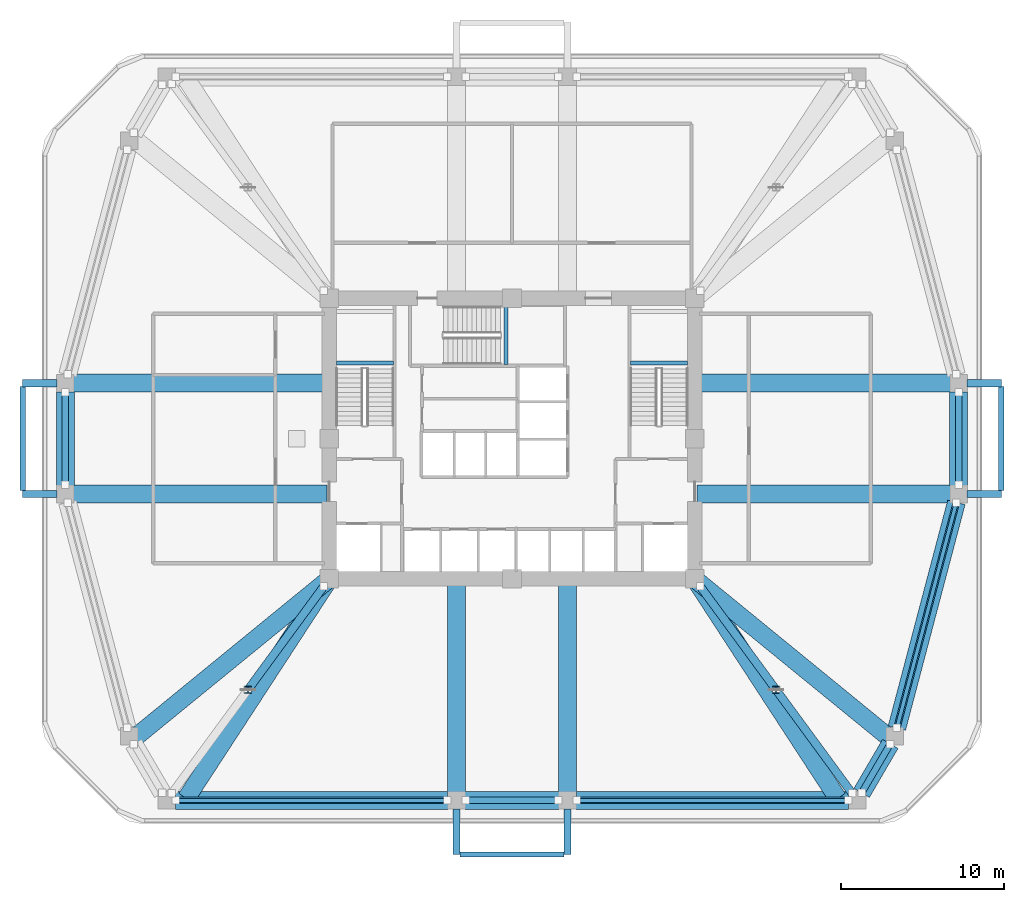
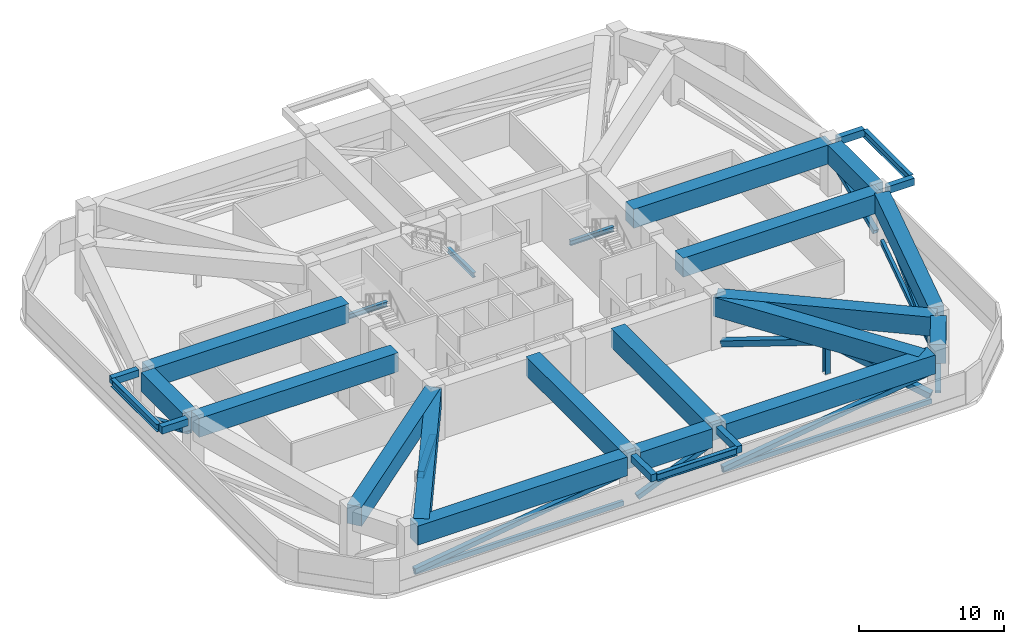
# One storey, part 2 of 10: 29 beams, 15 members.
"""IFC4 building model written with IfcOpenShell, lengths in metres."""

import ifcopenshell
import ifcopenshell.guid

model = None  # the IFC model being written
_history = None  # IfcOwnerHistory: only IFC2X3 demands one
_inside = {}  # id of a spatial element -> (the spatial element, [elements in it])
_under = {}  # id of a project, library or spatial element -> (it, [spatial elements below it])
_declared = {}  # id of a project -> (the project, [libraries it declares])
_typed = {}  # id of a type object -> (the type object, [elements of that type])
_made_of = {}  # id of a material, layer set ... -> (it, [elements and type objects made of it])


def new_model(schema):
    """Start an empty IFC model of exactly this schema.

    Asked for "IFC4X3", IfcOpenShell would pick the latest addendum, in which some entities
    have other attributes; the version numbers below select the first issue.
    IFC2X3 requires an IfcOwnerHistory on every rooted entity: one is made here for all.
    """
    global model, _history
    if schema == "IFC4X3":
        model = ifcopenshell.file(schema_version=(4, 3, 0, 0))
    else:
        model = ifcopenshell.file(schema=schema)
    _inside.clear()
    _under.clear()
    _declared.clear()
    _typed.clear()
    _made_of.clear()
    _history = None
    if model.schema == "IFC2X3":
        org = make("IfcOrganization", Name="unknown")
        user = make(
            "IfcPersonAndOrganization",
            ThePerson=make("IfcPerson", FamilyName="unknown"),
            TheOrganization=org,
        )
        app = make(
            "IfcApplication",
            ApplicationDeveloper=org,
            Version="unknown",
            ApplicationFullName="unknown",
            ApplicationIdentifier="unknown",
        )
        _history = make(
            "IfcOwnerHistory",
            OwningUser=user,
            OwningApplication=app,
            ChangeAction="ADDED",
            CreationDate=0,
        )
    return model


def make(cls, **values):
    """One entity of the class cls with the attributes given. An attribute that is None is left unset."""
    return model.create_entity(
        cls, **{name: value for name, value in values.items() if value is not None}
    )


def rooted(cls, **values):
    """An entity with a GlobalId (a new one), such as an element, a storey or a relation."""
    return make(cls, GlobalId=ifcopenshell.guid.new(), OwnerHistory=_history, **values)


def si_unit(unit_type, name, prefix=None):
    """IfcSIUnit, for example si_unit("LENGTHUNIT", "METRE", prefix="MILLI")."""
    return make("IfcSIUnit", UnitType=unit_type, Prefix=prefix, Name=name)


def derived_unit(unit_type, elements):
    """IfcDerivedUnit: a product of units, each with its exponent."""
    return make(
        "IfcDerivedUnit",
        Elements=[
            make("IfcDerivedUnitElement", Unit=unit, Exponent=power)
            for unit, power in elements
        ],
        UnitType=unit_type,
    )


def assignment(units):
    """IfcUnitAssignment: the units of a project."""
    return None if units is None else make("IfcUnitAssignment", Units=units)


def point(xyz):
    """IfcCartesianPoint."""
    return None if xyz is None else make("IfcCartesianPoint", Coordinates=xyz)


def direction(xyz):
    """IfcDirection."""
    return None if xyz is None else make("IfcDirection", DirectionRatios=xyz)


def frame(location, z_axis=None, x_axis=None):
    """IfcAxis2Placement3D, a coordinate frame: its origin and axes. An axis left out is left unset."""
    return make(
        "IfcAxis2Placement3D",
        Location=point(location),
        Axis=direction(z_axis),
        RefDirection=direction(x_axis),
    )


def frame_2d(location, x_axis=None):
    """IfcAxis2Placement2D, a coordinate frame in the plane: its origin and x axis."""
    return make(
        "IfcAxis2Placement2D", Location=point(location), RefDirection=direction(x_axis)
    )


def origin():
    """The frame at (0, 0, 0) with its axes left unset."""
    return frame((0.0, 0.0, 0.0))


def origin_2d():
    """The frame at (0, 0) in the plane with its x axis left unset."""
    return frame_2d((0.0, 0.0))


def place(relative_to, where):
    """IfcLocalPlacement: puts the frame where relative to a parent placement (None: the world)."""
    return make(
        "IfcLocalPlacement", PlacementRelTo=relative_to, RelativePlacement=where
    )


def context(
    kind, dimensions, precision=None, world=None, true_north=None, identifier=None
):
    """IfcGeometricRepresentationContext, for example the 3D "Model" context."""
    return make(
        "IfcGeometricRepresentationContext",
        ContextIdentifier=identifier,
        ContextType=kind,
        CoordinateSpaceDimension=dimensions,
        Precision=precision,
        WorldCoordinateSystem=world,
        TrueNorth=true_north,
    )


def subcontext(parent, identifier, kind, view, scale=None):
    """IfcGeometricRepresentationSubContext, for example "Body" below "Model"."""
    return make(
        "IfcGeometricRepresentationSubContext",
        ContextIdentifier=identifier,
        ContextType=kind,
        ParentContext=parent,
        TargetScale=scale,
        TargetView=view,
    )


def project(units=None, contexts=None):
    """IfcProject with its units and contexts."""
    return rooted(
        "IfcProject",
        Name="project",
        RepresentationContexts=contexts,
        UnitsInContext=assignment(units),
    )


def spatial(cls, under=None, at=None, **own):
    """A site, building, storey or space (cls), placed at a placement, below another one or the project."""
    s = rooted(cls, ObjectPlacement=at, **own)
    if under is not None:
        _under.setdefault(under.id(), (under, []))[1].append(s)
    return s


def profile(cls, at=None, kind="AREA", **sizes):
    """A parametric profile (cls). Its sizes go by their IFC names, for example OverallWidth=200.0."""
    return make(cls, ProfileType=kind, Position=at, **sizes)


def rectangle(**sizes):
    """IfcRectangleProfileDef."""
    return profile("IfcRectangleProfileDef", **sizes)


def hollow_rectangle(**sizes):
    """IfcRectangleHollowProfileDef."""
    return profile("IfcRectangleHollowProfileDef", **sizes)


def i_section(**sizes):
    """IfcIShapeProfileDef."""
    return profile("IfcIShapeProfileDef", **sizes)


def extrude(swept, where, along, depth):
    """IfcExtrudedAreaSolid: the profile swept, set in the frame where, extruded along a direction by depth."""
    return make(
        "IfcExtrudedAreaSolid",
        SweptArea=swept,
        Position=where,
        ExtrudedDirection=direction(along),
        Depth=depth,
    )


def shape(context_of_items, identifier, shape_type, items):
    """IfcShapeRepresentation: the items that make up one representation, for example the "Body"."""
    return make(
        "IfcShapeRepresentation",
        ContextOfItems=context_of_items,
        RepresentationIdentifier=identifier,
        RepresentationType=shape_type,
        Items=items,
    )


def material(Name=None, Category=None):
    """IfcMaterial."""
    return make("IfcMaterial", Name=Name, Category=Category)


def material_profile(
    of_material, cross_section, Name=None, Category=None, Priority=None
):
    """IfcMaterialProfile: a cross section and its material."""
    return make(
        "IfcMaterialProfile",
        Name=Name,
        Material=of_material,
        Profile=cross_section,
        Priority=Priority,
        Category=Category,
    )


def profile_set(profiles, Name=None, composite=None):
    """IfcMaterialProfileSet."""
    return make(
        "IfcMaterialProfileSet",
        Name=Name,
        MaterialProfiles=profiles,
        CompositeProfile=composite,
    )


def made_of(thing, what):
    """Note that an element or type object is made of a material, layer set ...; save() writes the relation."""
    if what is not None:
        _made_of.setdefault(what.id(), (what, []))[1].append(thing)
    return thing


def type_object(cls, material=None, **own):
    """A type object (cls), such as IfcWallType, which elements share."""
    return made_of(rooted(cls, **own), material)


def element(
    cls,
    number,
    at=None,
    inside=None,
    cuts=None,
    type_object=None,
    material=None,
    context=None,
    identifier="Body",
    shape_type=None,
    held_by="IfcProductDefinitionShape",
    body=None,
    shapes=None,
    **own,
):
    """One element of the class cls, such as IfcWall. Its Tag is "e" and its number.

    at: its placement. inside: the storey or other place that contains it. cuts: it is an
    opening in that element (IfcRelVoidsElement). A single representation is given by context,
    identifier, shape_type and body (its items); several are given by shapes. held_by: the class
    of the entity that holds the representations. save() writes the other relations.
    """
    e = rooted(cls, Tag="e%d" % number, ObjectPlacement=at, **own)
    if body is not None:
        shapes = [shape(context, identifier, shape_type, body)]
    if shapes is not None:
        e.Representation = make(held_by, Representations=shapes)
    if inside is not None:
        _inside.setdefault(inside.id(), (inside, []))[1].append(e)
    if cuts is not None:
        rooted(
            "IfcRelVoidsElement", RelatingBuildingElement=cuts, RelatedOpeningElement=e
        )
    if type_object is not None:
        _typed.setdefault(type_object.id(), (type_object, []))[1].append(e)
    return made_of(e, material)


def aggregate(whole, parts):
    """IfcRelAggregates: a whole, such as a stair, and the parts it consists of."""
    return rooted("IfcRelAggregates", RelatingObject=whole, RelatedObjects=parts)


def save(model, path):
    """Write the relations noted so far, then the file.

    IfcRelAggregates (storeys below a building ...), IfcRelContainedInSpatialStructure (elements
    in a storey), IfcRelDefinesByType, IfcRelAssociatesMaterial and IfcRelDeclares: one each for
    every whole, place, type object, material and project.
    """
    for whole, parts in _under.values():
        aggregate(whole, parts)
    for where, things in _inside.values():
        rooted(
            "IfcRelContainedInSpatialStructure",
            RelatedElements=things,
            RelatingStructure=where,
        )
    for kind, things in _typed.values():
        rooted("IfcRelDefinesByType", RelatedObjects=things, RelatingType=kind)
    for what, things in _made_of.values():
        rooted("IfcRelAssociatesMaterial", RelatedObjects=things, RelatingMaterial=what)
    for by, libraries in _declared.values():
        rooted("IfcRelDeclares", RelatingContext=by, RelatedDefinitions=libraries)
    model.write(path)


model = new_model("IFC4")

# Units and contexts
model_context = context("Model", 3, precision=1e-05, world=origin(), true_north=direction((0.0, 1.0)))
body_context = subcontext(model_context, "Body", "Model", "MODEL_VIEW")
ifc_project = project(units=[si_unit("LENGTHUNIT", "METRE"), si_unit("AREAUNIT", "SQUARE_METRE"), si_unit("VOLUMEUNIT", "CUBIC_METRE"), si_unit("PLANEANGLEUNIT", "RADIAN"), si_unit("MASSUNIT", "GRAM", prefix="KILO"), derived_unit("THERMALTRANSMITTANCEUNIT", [(si_unit("POWERUNIT", "WATT"), 1), (si_unit("LENGTHUNIT", "METRE"), -2), (si_unit("THERMODYNAMICTEMPERATUREUNIT", "KELVIN"), -1)])], contexts=[model_context])

# Site, building, storey
site_placement = place(None, origin())
site = spatial("IfcSite", under=ifc_project, at=site_placement, CompositionType="ELEMENT")
building_placement = place(site_placement, origin())
building = spatial("IfcBuilding", under=site, at=building_placement, Name="Koralith Skygarden Medical Center", CompositionType="ELEMENT")
storey_placement = place(building_placement, frame((0.0, 0.0, 70.739990234375)))
storey = spatial("IfcBuildingStorey", under=building, at=storey_placement, Name="L18", CompositionType="ELEMENT", Elevation=70.739990234375)

# Members
ifc_material_1 = material(Name="Steel ASTM A500 Grade C", Category="steel")
ifc_material_profile_1 = material_profile(ifc_material_1, hollow_rectangle(XDim=0.25, YDim=0.39990234375, WallThickness=0.01611328125, at=origin_2d()), Name="HSS400X250X16")
ifc_profile_set_1 = profile_set([ifc_material_profile_1], Name="Steel ASTM A500 Grade C")
member_type_1 = type_object("IfcMemberType", Name="Belt Truss Chord Member HSS400X250X16", PredefinedType="CHORD", material=ifc_profile_set_1)
for number, where, z_axis, x_axis, name in (
    (1, (16.39208984375, 3.719970703125, 0.219970703125), (1.0, 0.0, 0.0), (0.0, 1.0, 0.0), "L18 Belt Truss Bottom Chord BTC-03"),
    (2, (40.9599609375, 3.719970703125, 0.219970703125), (1.0, 0.0, 0.0), (0.0, 1.0, 0.0), "L18 Belt Truss Bottom Chord BTC-05"),
):
    element("IfcMember", number, at=place(storey_placement, frame(where, z_axis=z_axis, x_axis=x_axis)), inside=storey, type_object=member_type_1, Name=name, PredefinedType="CHORD", context=body_context, shape_type="SweptSolid", body=[
        extrude(hollow_rectangle(XDim=0.25, YDim=0.39990234375, WallThickness=0.01611328125, at=origin_2d()), origin(), (0.0, 0.0, 1.0), 16.64794921875),
    ])
member_1_placement = place(storey_placement, frame((60.60302734375, 8.180908203125, 0.219970703125), z_axis=(0.255033011106, 0.966932346778, 0.0), x_axis=(-0.966932346778, 0.255033011106, 0.0)))
element("IfcMember", 3, at=member_1_placement, inside=storey, type_object=member_type_1, Name="L18 Belt Truss Bottom Chord BTC-07", PredefinedType="CHORD", context=body_context, shape_type="SweptSolid", body=[
    extrude(hollow_rectangle(XDim=0.25, YDim=0.39990234375, WallThickness=0.01611328125, at=origin_2d()), origin(), (0.0, 0.0, 1.0), 14.249267578125),
])
ifc_material_profile_2 = material_profile(ifc_material_1, hollow_rectangle(XDim=0.39990234375, YDim=0.39990234375, WallThickness=0.01806640625, at=origin_2d()), Name="HSS400X400X18")
ifc_profile_set_2 = profile_set([ifc_material_profile_2], Name="Steel ASTM A500 Grade C")
member_type_2 = type_object("IfcMemberType", Name="Belt Truss Diagonal HSS400X400X18", PredefinedType="BRACE", material=ifc_profile_set_2)
member_2_placement = place(storey_placement, frame((16.39208984375, 3.719970703125, 0.35009765625), z_axis=(0.989936133311, 0.0, 0.141514847155), x_axis=(0.0, 1.0, 0.0)))
element("IfcMember", 4, at=member_2_placement, inside=storey, type_object=member_type_2, Name="L18 Perimeter Belt Truss Diagonal BTD-03", PredefinedType="BRACE", context=body_context, shape_type="SweptSolid", body=[
    extrude(hollow_rectangle(XDim=0.39990234375, YDim=0.39990234375, WallThickness=0.01806640625, at=origin_2d()), origin(), (0.0, 0.0, 1.0), 16.817138671875),
])
member_3_placement = place(storey_placement, frame((34.159912109375, 3.719970703125, 0.35009765625), z_axis=(0.922317471745, 0.0, 0.386433023063), x_axis=(0.0, 1.0, 0.0)))
element("IfcMember", 5, at=member_3_placement, inside=storey, type_object=member_type_2, Name="L18 Perimeter Belt Truss Diagonal BTD-04", PredefinedType="BRACE", context=body_context, shape_type="SweptSolid", body=[
    extrude(hollow_rectangle(XDim=0.39990234375, YDim=0.39990234375, WallThickness=0.01806640625, at=origin_2d()), origin(), (0.0, 0.0, 1.0), 6.15869140625),
])
member_4_placement = place(storey_placement, frame((40.9599609375, 3.719970703125, 0.35009765625), z_axis=(0.989936133311, 0.0, 0.141514847155), x_axis=(0.0, 1.0, 0.0)))
element("IfcMember", 6, at=member_4_placement, inside=storey, type_object=member_type_2, Name="L18 Perimeter Belt Truss Diagonal BTD-05", PredefinedType="BRACE", context=body_context, shape_type="SweptSolid", body=[
    extrude(hollow_rectangle(XDim=0.39990234375, YDim=0.39990234375, WallThickness=0.01806640625, at=origin_2d()), origin(), (0.0, 0.0, 1.0), 16.817138671875),
])
member_5_placement = place(storey_placement, frame((58.450927734375, 4.202880859375, 0.35009765625), z_axis=(0.414153109192, 0.708805179805, 0.571027511797), x_axis=(-0.863416348097, 0.504492031492, 0.0)))
element("IfcMember", 7, at=member_5_placement, inside=storey, type_object=member_type_2, Name="L18 Perimeter Belt Truss Diagonal BTD-06", PredefinedType="BRACE", context=body_context, shape_type="SweptSolid", body=[
    extrude(hollow_rectangle(XDim=0.39990234375, YDim=0.39990234375, WallThickness=0.01806640625, at=origin_2d()), origin(), (0.0, 0.0, 1.0), 4.167724609375),
])
member_6_placement = place(storey_placement, frame((60.60302734375, 8.180908203125, 0.35009765625), z_axis=(0.251548669485, 0.953721811378, 0.164736071894), x_axis=(-0.966932346778, 0.255033011106, 0.0)))
element("IfcMember", 8, at=member_6_placement, inside=storey, type_object=member_type_2, Name="L18 Perimeter Belt Truss Diagonal BTD-07", PredefinedType="BRACE", context=body_context, shape_type="SweptSolid", body=[
    extrude(hollow_rectangle(XDim=0.39990234375, YDim=0.39990234375, WallThickness=0.01806640625, at=origin_2d()), origin(), (0.0, 0.0, 1.0), 14.446533203125),
])
for number, where, z_axis, x_axis, name in (
    (9, (64.3798828125, 23.06005859375, 0.35009765625), (0.0, 0.922311551619, 0.386447152597), (-1.0, 0.0, 0.0), "L18 Perimeter Belt Truss Diagonal BTD-08"),
    (10, (9.6201171875, 28.739990234375, 0.35009765625), (0.0, -0.922311551619, 0.386447152597), (1.0, 0.0, 0.0), "L18 Perimeter Belt Truss Diagonal BTD-16"),
):
    element("IfcMember", number, at=place(storey_placement, frame(where, z_axis=z_axis, x_axis=x_axis)), inside=storey, type_object=member_type_2, Name=name, PredefinedType="BRACE", context=body_context, shape_type="SweptSolid", body=[
        extrude(hollow_rectangle(XDim=0.39990234375, YDim=0.39990234375, WallThickness=0.01806640625, at=origin_2d()), origin(), (0.0, 0.0, 1.0), 6.158447265625),
    ])

# Beams
ifc_material_2 = material(Name="Steel ASTM A992 Grade 50", Category="steel")
ifc_material_profile_3 = material_profile(ifc_material_2, i_section(OverallWidth=0.326904296875, OverallDepth=0.6220703125, WebThickness=0.015380859375, FlangeThickness=0.0244140625, at=origin_2d()), Name="W24X131")
ifc_profile_set_3 = profile_set([ifc_material_profile_3], Name="Steel ASTM A992 Grade 50")
beam_type_1 = type_object("IfcBeamType", Name="Cantilever Tie Beam W24X131", PredefinedType="BEAM", material=ifc_profile_set_3)
beam_1_placement = place(storey_placement, frame((33.820068359375, 0.39990234375, 4.109130859375), z_axis=(1.0, 0.0, 0.0), x_axis=(0.0, 1.0, 0.0)))
element("IfcBeam", 11, at=beam_1_placement, inside=storey, type_object=beam_type_1, Name="L19 S Balcony Tip Tie Beam", PredefinedType="BEAM", context=body_context, shape_type="SweptSolid", body=[
    extrude(i_section(OverallWidth=0.326904296875, OverallDepth=0.6220703125, WebThickness=0.015380859375, FlangeThickness=0.0244140625, at=origin_2d()), origin(), (0.0, 0.0, 1.0), 6.35986328125),
])
for number, where, z_axis, x_axis, name in (
    (12, (67.0, 22.719970703125, 4.109130859375), (0.0, 1.0, 0.0), (-1.0, 0.0, 0.0), "L19 E Balcony Tip Tie Beam"),
    (13, (7.0, 22.719970703125, 4.109130859375), (0.0, 1.0, 0.0), (-1.0, 0.0, 0.0), "L19 W Balcony Tip Tie Beam"),
):
    element("IfcBeam", number, at=place(storey_placement, frame(where, z_axis=z_axis, x_axis=x_axis)), inside=storey, type_object=beam_type_1, Name=name, PredefinedType="BEAM", context=body_context, shape_type="SweptSolid", body=[
        extrude(i_section(OverallWidth=0.326904296875, OverallDepth=0.6220703125, WebThickness=0.015380859375, FlangeThickness=0.0244140625, at=origin_2d()), origin(), (0.0, 0.0, 1.0), 6.360107421875),
    ])
ifc_material_profile_4 = material_profile(ifc_material_2, i_section(OverallWidth=0.260009765625, OverallDepth=0.4150390625, WebThickness=0.010009765625, FlangeThickness=0.016845703125, at=origin_2d()), Name="W16X67")
ifc_profile_set_4 = profile_set([ifc_material_profile_4], Name="Steel ASTM A992 Grade 50")
beam_type_2 = type_object("IfcBeamType", Name="Clinical Floor Joist W16X67", PredefinedType="JOIST", material=ifc_profile_set_4)
for number, where, z_axis, x_axis, name in (
    (14, (26.22998046875, 30.530029296875, 1.93212890625), (1.0, 0.0, 0.0), (0.0, 1.0, 0.0), "L18 Stair ST1 Half-Landing Support Beam 1A"),
    (15, (44.280029296875, 30.530029296875, 1.93212890625), (1.0, 0.0, 0.0), (0.0, 1.0, 0.0), "L18 Stair ST2 Half-Landing Support Beam 1A"),
):
    element("IfcBeam", number, at=place(storey_placement, frame(where, z_axis=z_axis, x_axis=x_axis)), inside=storey, type_object=beam_type_2, Name=name, PredefinedType="JOIST", context=body_context, shape_type="SweptSolid", body=[
        extrude(i_section(OverallWidth=0.260009765625, OverallDepth=0.4150390625, WebThickness=0.010009765625, FlangeThickness=0.016845703125, at=origin_2d()), origin(), (0.0, 0.0, 1.0), 3.489990234375),
    ])
beam_2_placement = place(storey_placement, frame((36.6298828125, 30.43994140625, 1.93212890625), z_axis=(0.0, 1.0, 0.0), x_axis=(-1.0, 0.0, 0.0)))
element("IfcBeam", 16, at=beam_2_placement, inside=storey, type_object=beam_type_2, Name="L18 Stair ST3 Half-Landing Support Beam 1A", PredefinedType="JOIST", context=body_context, shape_type="SweptSolid", body=[
    extrude(i_section(OverallWidth=0.260009765625, OverallDepth=0.4150390625, WebThickness=0.010009765625, FlangeThickness=0.016845703125, at=origin_2d()), origin(), (0.0, 0.0, 1.0), 3.630126953125),
])

# Members
ifc_material_profile_5 = material_profile(ifc_material_1, hollow_rectangle(XDim=0.5, YDim=0.5, WallThickness=0.02197265625, at=origin_2d()), Name="HSS500X500X22")
ifc_profile_set_5 = profile_set([ifc_material_profile_5], Name="Steel ASTM A500 Grade C")
member_type_3 = type_object("IfcMemberType", Name="Outrigger Primary Diagonal HSS500X500X22", PredefinedType="BRACE", material=ifc_profile_set_5)
for number, where, z_axis, x_axis, name in (
    (17, (25.462890625, 16.840087890625, 0.35009765625), (-0.566342828726, -0.771629479797, 0.289557846136), (0.806165179978, -0.591690546309, 0.0), "L18 Outrigger Truss Diagonal ORD-01A"),
    (18, (48.537109375, 16.840087890625, 0.35009765625), (0.566342828726, -0.771629479797, 0.289557846136), (0.806165179978, 0.591690546309, 0.0), "L18 Outrigger Truss Diagonal ORD-02A"),
):
    element("IfcMember", number, at=place(storey_placement, frame(where, z_axis=z_axis, x_axis=x_axis)), inside=storey, type_object=member_type_3, Name=name, PredefinedType="BRACE", context=body_context, shape_type="SweptSolid", body=[
        extrude(hollow_rectangle(XDim=0.5, YDim=0.5, WallThickness=0.02197265625, at=origin_2d()), origin(), (0.0, 0.0, 1.0), 8.218994140625),
    ])
member_7_placement = place(storey_placement, frame((53.19189453125, 10.498046875, 2.72998046875), z_axis=(0.566391778847, -0.771612647802, -0.289506950878), x_axis=(0.806134628546, 0.591732169701, 0.0)))
element("IfcMember", 19, at=member_7_placement, inside=storey, type_object=member_type_3, Name="L18 Outrigger Truss Diagonal ORD-02B", PredefinedType="BRACE", context=body_context, shape_type="SweptSolid", body=[
    extrude(hollow_rectangle(XDim=0.5, YDim=0.5, WallThickness=0.02197265625, at=origin_2d()), origin(), (0.0, 0.0, 1.0), 8.220458984375),
])
ifc_material_profile_6 = material_profile(ifc_material_2, i_section(OverallWidth=0.406005859375, OverallDepth=0.416015625, WebThickness=0.02490234375, FlangeThickness=0.0400390625, at=origin_2d()), Name="W14X257")
ifc_profile_set_6 = profile_set([ifc_material_profile_6], Name="Steel ASTM A992 Grade 50")
member_type_4 = type_object("IfcMemberType", Name="Outrigger Web Strut Post W14X257", PredefinedType="POST", material=ifc_profile_set_6)
for number, where, z_axis, x_axis, name in (
    (20, (20.80810546875, 10.498046875, 0.0), (0.0, 0.0, 1.0), (1.0, 0.0, 0.0), "L18 Outrigger Truss Web Post ORP-01"),
    (21, (53.19189453125, 10.498046875, 0.0), (0.0, 0.0, 1.0), (1.0, 0.0, 0.0), "L18 Outrigger Truss Web Post ORP-02"),
):
    element("IfcMember", number, at=place(storey_placement, frame(where, z_axis=z_axis, x_axis=x_axis)), inside=storey, type_object=member_type_4, Name=name, PredefinedType="POST", context=body_context, shape_type="SweptSolid", body=[
        extrude(i_section(OverallWidth=0.406005859375, OverallDepth=0.416015625, WebThickness=0.02490234375, FlangeThickness=0.0400390625, at=origin_2d()), origin(), (0.0, 0.0, 1.0), 2.72998046875),
    ])

# Beams
ifc_material_3 = material(Name="Concrete C45/55", Category="concrete")
ifc_material_profile_7 = material_profile(ifc_material_3, rectangle(XDim=0.449951171875, YDim=0.60009765625, at=origin_2d()), Name="RCB450X600")
ifc_profile_set_7 = profile_set([ifc_material_profile_7], Name="Concrete C45/55")
beam_type_3 = type_object("IfcBeamType", Name="Planted Balcony Cantilever Beam RCB450X600", PredefinedType="BEAM", material=ifc_profile_set_7)
for number, where, z_axis, x_axis, name in (
    (22, (33.60009765625, 3.199951171875, 4.1201171875), (0.0, -1.0, 0.0), (1.0, 0.0, 0.0), "L19 S Balcony Cantilever Beam A"),
    (23, (40.39990234375, 3.199951171875, 4.1201171875), (0.0, -1.0, 0.0), (1.0, 0.0, 0.0), "L19 S Balcony Cantilever Beam B"),
):
    element("IfcBeam", number, at=place(storey_placement, frame(where, z_axis=z_axis, x_axis=x_axis)), inside=storey, type_object=beam_type_3, Name=name, PredefinedType="BEAM", context=body_context, shape_type="SweptSolid", body=[
        extrude(rectangle(XDim=0.449951171875, YDim=0.60009765625, at=origin_2d()), origin(), (0.0, 0.0, 1.0), 2.800048828125),
    ])
for number, where, z_axis, x_axis, name in (
    (24, (64.89990234375, 22.5, 4.1201171875), (1.0, 0.0, 0.0), (0.0, 1.0, 0.0), "L19 E Balcony Cantilever Beam A"),
    (25, (64.89990234375, 29.300048828125, 4.1201171875), (1.0, 0.0, 0.0), (0.0, 1.0, 0.0), "L19 E Balcony Cantilever Beam B"),
    (26, (9.10009765625, 22.5, 4.1201171875), (-1.0, 0.0, 0.0), (0.0, -1.0, 0.0), "L19 W Balcony Cantilever Beam A"),
    (27, (9.10009765625, 29.300048828125, 4.1201171875), (-1.0, 0.0, 0.0), (0.0, -1.0, 0.0), "L19 W Balcony Cantilever Beam B"),
):
    element("IfcBeam", number, at=place(storey_placement, frame(where, z_axis=z_axis, x_axis=x_axis)), inside=storey, type_object=beam_type_3, Name=name, PredefinedType="BEAM", context=body_context, shape_type="SweptSolid", body=[
        extrude(rectangle(XDim=0.449951171875, YDim=0.60009765625, at=origin_2d()), origin(), (0.0, 0.0, 1.0), 2.10009765625),
    ])
ifc_material_4 = material(Name="Concrete C55/67", Category="concrete")
ifc_material_profile_8 = material_profile(ifc_material_4, rectangle(XDim=1.10009765625, YDim=1.60009765625, at=origin_2d()), Name="RCB1100X1600")
ifc_profile_set_8 = profile_set([ifc_material_profile_8], Name="Concrete C55/67")
beam_type_4 = type_object("IfcBeamType", Name="Upper Setback Transfer Girder RCB1100X1600", PredefinedType="USERDEFINED", material=ifc_profile_set_8)
beam_3_placement = place(storey_placement, frame((25.64990234375, 22.5, 3.580078125), z_axis=(-1.0, 0.0, 0.0), x_axis=(0.0, -1.0, 0.0)))
element("IfcBeam", 28, at=beam_3_placement, inside=storey, type_object=beam_type_4, Name="L18 Setback Transfer Girder STG-01", ObjectType="TRANSFER GIRDER", PredefinedType="USERDEFINED", context=body_context, shape_type="SweptSolid", body=[
    extrude(rectangle(XDim=1.10009765625, YDim=1.60009765625, at=origin_2d()), origin(), (0.0, 0.0, 1.0), 15.8798828125),
])
beam_4_placement = place(storey_placement, frame((25.68408203125, 17.205078125, 3.580078125), z_axis=(-0.774579140367, -0.632476999826, 0.0), x_axis=(0.632476999826, -0.774579140367, 0.0)))
element("IfcBeam", 29, at=beam_4_placement, inside=storey, type_object=beam_type_4, Name="L18 Setback Transfer Girder STG-02", ObjectType="TRANSFER GIRDER", PredefinedType="USERDEFINED", context=body_context, shape_type="SweptSolid", body=[
    extrude(rectangle(XDim=1.10009765625, YDim=1.60009765625, at=origin_2d()), origin(), (0.0, 0.0, 1.0), 15.34912109375),
])
beam_5_placement = place(storey_placement, frame((25.718017578125, 17.174072265625, 3.580078125), z_axis=(-0.545993429659, -0.837789457304, 0.0), x_axis=(0.837789457304, -0.545993429659, 0.0)))
element("IfcBeam", 30, at=beam_5_placement, inside=storey, type_object=beam_type_4, Name="L18 Setback Transfer Girder STG-03", ObjectType="TRANSFER GIRDER", PredefinedType="USERDEFINED", context=body_context, shape_type="SweptSolid", body=[
    extrude(rectangle(XDim=1.10009765625, YDim=1.60009765625, at=origin_2d()), origin(), (0.0, 0.0, 1.0), 15.90869140625),
])
for number, where, z_axis, x_axis, name in (
    (31, (33.60009765625, 17.14990234375, 3.580078125), (0.0, -1.0, 0.0), (1.0, 0.0, 0.0), "L18 Setback Transfer Girder STG-04"),
    (32, (40.39990234375, 17.14990234375, 3.580078125), (0.0, -1.0, 0.0), (1.0, 0.0, 0.0), "L18 Setback Transfer Girder STG-05"),
):
    element("IfcBeam", number, at=place(storey_placement, frame(where, z_axis=z_axis, x_axis=x_axis)), inside=storey, type_object=beam_type_4, Name=name, ObjectType="TRANSFER GIRDER", PredefinedType="USERDEFINED", context=body_context, shape_type="SweptSolid", body=[
        extrude(rectangle(XDim=1.10009765625, YDim=1.60009765625, at=origin_2d()), origin(), (0.0, 0.0, 1.0), 13.27978515625),
    ])
beam_6_placement = place(storey_placement, frame((48.281982421875, 17.174072265625, 3.580078125), z_axis=(0.545993429659, -0.837789457304, 0.0), x_axis=(0.837789457304, 0.545993429659, 0.0)))
element("IfcBeam", 33, at=beam_6_placement, inside=storey, type_object=beam_type_4, Name="L18 Setback Transfer Girder STG-06", ObjectType="TRANSFER GIRDER", PredefinedType="USERDEFINED", context=body_context, shape_type="SweptSolid", body=[
    extrude(rectangle(XDim=1.10009765625, YDim=1.60009765625, at=origin_2d()), origin(), (0.0, 0.0, 1.0), 15.90869140625),
])
beam_7_placement = place(storey_placement, frame((48.31591796875, 17.205078125, 3.580078125), z_axis=(0.774579140367, -0.632476999826, 0.0), x_axis=(0.632476999826, 0.774579140367, 0.0)))
element("IfcBeam", 34, at=beam_7_placement, inside=storey, type_object=beam_type_4, Name="L18 Setback Transfer Girder STG-07", ObjectType="TRANSFER GIRDER", PredefinedType="USERDEFINED", context=body_context, shape_type="SweptSolid", body=[
    extrude(rectangle(XDim=1.10009765625, YDim=1.60009765625, at=origin_2d()), origin(), (0.0, 0.0, 1.0), 15.34912109375),
])
for number, where, z_axis, x_axis, name in (
    (35, (48.35009765625, 22.5, 3.580078125), (1.0, 0.0, 0.0), (0.0, 1.0, 0.0), "L18 Setback Transfer Girder STG-08"),
    (36, (48.35009765625, 29.300048828125, 3.580078125), (1.0, 0.0, 0.0), (0.0, 1.0, 0.0), "L18 Setback Transfer Girder STG-09"),
    (37, (25.64990234375, 29.300048828125, 3.580078125), (-1.0, 0.0, 0.0), (0.0, -1.0, 0.0), "L18 Setback Transfer Girder STG-16"),
):
    element("IfcBeam", number, at=place(storey_placement, frame(where, z_axis=z_axis, x_axis=x_axis)), inside=storey, type_object=beam_type_4, Name=name, ObjectType="TRANSFER GIRDER", PredefinedType="USERDEFINED", context=body_context, shape_type="SweptSolid", body=[
        extrude(rectangle(XDim=1.10009765625, YDim=1.60009765625, at=origin_2d()), origin(), (0.0, 0.0, 1.0), 15.8798828125),
    ])
beam_8_placement = place(storey_placement, frame((16.362060546875, 3.719970703125, 3.580078125), z_axis=(1.0, 0.0, 0.0), x_axis=(0.0, 1.0, 0.0)))
element("IfcBeam", 38, at=beam_8_placement, inside=storey, type_object=beam_type_4, Name="L18 Perimeter Spandrel Beam SP-03", ObjectType="TRANSFER GIRDER", PredefinedType="USERDEFINED", context=body_context, shape_type="SweptSolid", body=[
    extrude(rectangle(XDim=1.10009765625, YDim=1.60009765625, at=origin_2d()), origin(), (0.0, 0.0, 1.0), 16.7080078125),
])
beam_9_placement = place(storey_placement, frame((34.1298828125, 3.719970703125, 3.580078125), z_axis=(1.0, 0.0, 0.0), x_axis=(0.0, 1.0, 0.0)))
element("IfcBeam", 39, at=beam_9_placement, inside=storey, type_object=beam_type_4, Name="L18 Perimeter Spandrel Beam SP-04", ObjectType="TRANSFER GIRDER", PredefinedType="USERDEFINED", context=body_context, shape_type="SweptSolid", body=[
    extrude(rectangle(XDim=1.10009765625, YDim=1.60009765625, at=origin_2d()), origin(), (0.0, 0.0, 1.0), 5.740234375),
])
beam_10_placement = place(storey_placement, frame((40.929931640625, 3.719970703125, 3.580078125), z_axis=(1.0, 0.0, 0.0), x_axis=(0.0, 1.0, 0.0)))
element("IfcBeam", 40, at=beam_10_placement, inside=storey, type_object=beam_type_4, Name="L18 Perimeter Spandrel Beam SP-05", ObjectType="TRANSFER GIRDER", PredefinedType="USERDEFINED", context=body_context, shape_type="SweptSolid", body=[
    extrude(rectangle(XDim=1.10009765625, YDim=1.60009765625, at=origin_2d()), origin(), (0.0, 0.0, 1.0), 16.7080078125),
])
beam_11_placement = place(storey_placement, frame((58.43603515625, 4.177978515625, 3.580078125), z_axis=(0.504638660636, 0.863330656349, 0.0), x_axis=(-0.863330656349, 0.504638660636, 0.0)))
element("IfcBeam", 41, at=beam_11_placement, inside=storey, type_object=beam_type_4, Name="L18 Perimeter Spandrel Beam SP-06", ObjectType="TRANSFER GIRDER", PredefinedType="USERDEFINED", context=body_context, shape_type="SweptSolid", body=[
    extrude(rectangle(XDim=1.10009765625, YDim=1.60009765625, at=origin_2d()), origin(), (0.0, 0.0, 1.0), 3.4794921875),
])
beam_12_placement = place(storey_placement, frame((60.594970703125, 8.152099609375, 3.580078125), z_axis=(0.255088684842, 0.966917660851, 0.0), x_axis=(-0.966917660851, 0.255088684842, 0.0)))
element("IfcBeam", 42, at=beam_12_placement, inside=storey, type_object=beam_type_4, Name="L18 Perimeter Spandrel Beam SP-07", ObjectType="TRANSFER GIRDER", PredefinedType="USERDEFINED", context=body_context, shape_type="SweptSolid", body=[
    extrude(rectangle(XDim=1.10009765625, YDim=1.60009765625, at=origin_2d()), origin(), (0.0, 0.0, 1.0), 14.309326171875),
])
for number, where, z_axis, x_axis, name in (
    (43, (64.3798828125, 23.030029296875, 3.580078125), (0.0, 1.0, 0.0), (-1.0, 0.0, 0.0), "L18 Perimeter Spandrel Beam SP-08"),
    (44, (9.6201171875, 28.77001953125, 3.580078125), (0.0, -1.0, 0.0), (1.0, 0.0, 0.0), "L18 Perimeter Spandrel Beam SP-16"),
):
    element("IfcBeam", number, at=place(storey_placement, frame(where, z_axis=z_axis, x_axis=x_axis)), inside=storey, type_object=beam_type_4, Name=name, ObjectType="TRANSFER GIRDER", PredefinedType="USERDEFINED", context=body_context, shape_type="SweptSolid", body=[
        extrude(rectangle(XDim=1.10009765625, YDim=1.60009765625, at=origin_2d()), origin(), (0.0, 0.0, 1.0), 5.739990234375),
    ])

save(model, "model.ifc")
